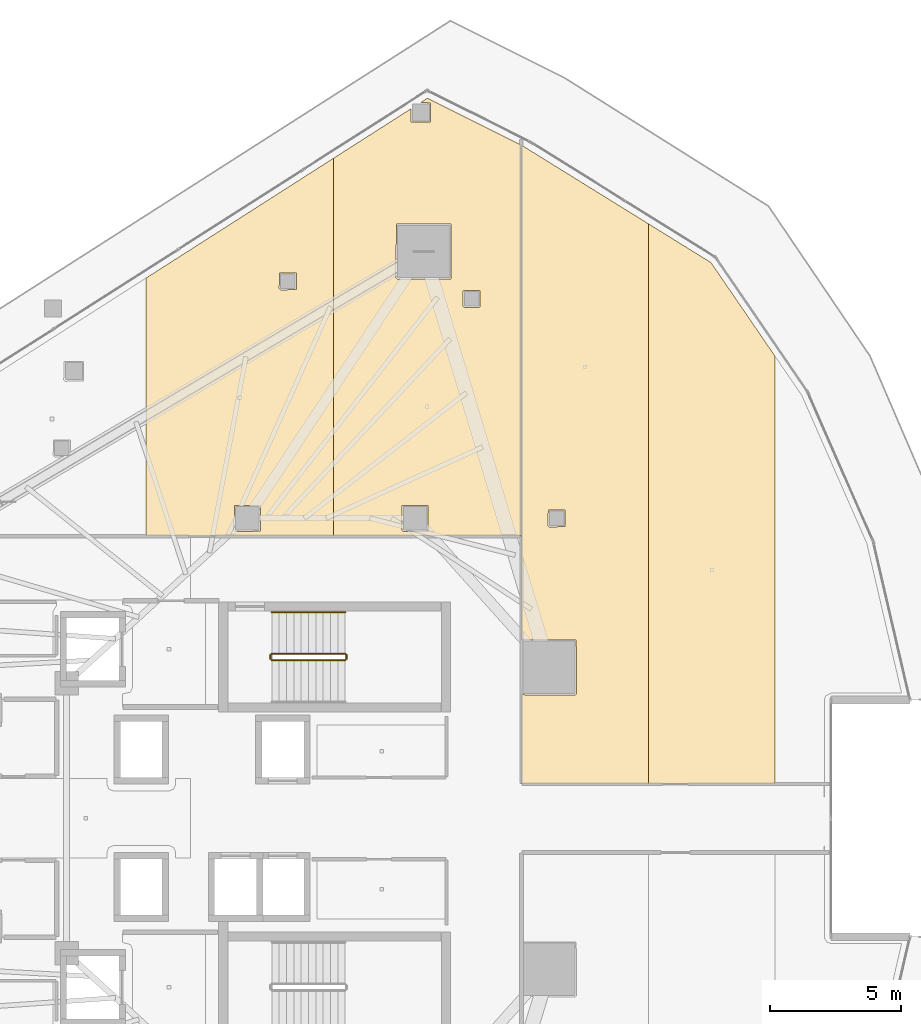
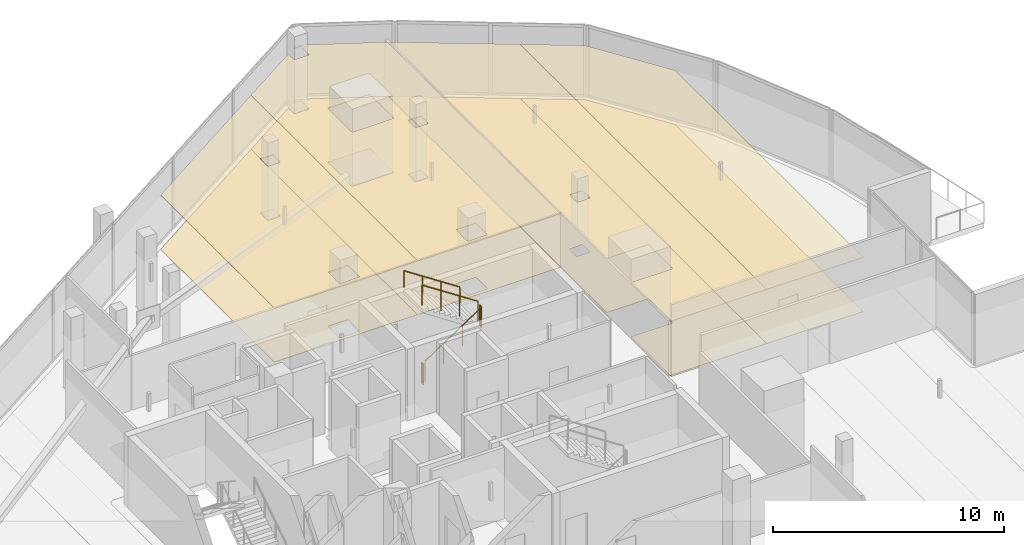
# One storey, part 38 of 39: 8 coverings, 5 railings.
"""IFC4 building model written with IfcOpenShell, lengths in metres."""

from ifc_helpers import new_model, si_unit, direction, frame, origin, origin_2d, place, context, subcontext, project, spatial, polyline, circle, outline, extrude, material, layer, layer_set, type_object, element, save


model = new_model("IFC4")

# Units and contexts
model_context = context("Model", 3, precision=1e-05, world=origin(), true_north=direction((0.0, 1.0)))
body_context = subcontext(model_context, "Body", "Model", "MODEL_VIEW")
ifc_project = project(units=[si_unit("LENGTHUNIT", "METRE"), si_unit("AREAUNIT", "SQUARE_METRE"), si_unit("VOLUMEUNIT", "CUBIC_METRE"), si_unit("PLANEANGLEUNIT", "RADIAN"), si_unit("MASSUNIT", "GRAM", prefix="KILO")], contexts=[model_context])

# Site, building, storey
site_placement = place(None, origin())
site = spatial("IfcSite", under=ifc_project, at=site_placement, CompositionType="ELEMENT")
building_placement = place(site_placement, origin())
building = spatial("IfcBuilding", under=site, at=building_placement, Name="Qorvath Tower", CompositionType="ELEMENT")
storey_placement = place(building_placement, frame((0.0, 0.0, 201.0)))
storey = spatial("IfcBuildingStorey", under=building, at=storey_placement, Name="L46", CompositionType="ELEMENT", Elevation=201.0)

# Coverings
ifc_material_1 = material(Name="Acoustic mineral fibre ceiling tile", Category="gypsum")
ifc_layer_1 = layer(ifc_material_1, 0.030029296875)
ifc_layer_set_1 = layer_set([ifc_layer_1], Name="COV-CEIL")
covering_type_1 = type_object("IfcCoveringType", Name="COV-CEIL", PredefinedType="CEILING", material=ifc_layer_set_1)
covering_1_placement = place(storey_placement, frame((0.0, 0.0, 2.85009765625)))
element("IfcCovering", 1, at=covering_1_placement, inside=storey, type_object=covering_type_1, Name="L46 Suspended Acoustic Ceiling 016", PredefinedType="CEILING", context=body_context, shape_type="SweptSolid", body=[
    extrude(outline(polyline([(-20.315673828125, 10.762939453125), (-20.315673828125, 25.18505859375), (-27.476318359375, 20.6083984375), (-27.476318359375, 10.762939453125), (-20.315673828125, 10.762939453125)]), holes=[polyline([(-22.38818359375, 20.219970703125), (-22.37060546875, 20.812255859375), (-21.73583984375, 20.812255859375), (-21.73583984375, 20.177490234375), (-22.328125, 20.159912109375), (-22.38818359375, 20.219970703125)]), polyline([(-24.110107421875, 11.0), (-24.092529296875, 11.9423828125), (-23.107666015625, 11.9423828125), (-23.107666015625, 10.95751953125), (-24.050048828125, 10.93994140625), (-24.110107421875, 11.0)])]), origin(), (0.0, 0.0, 1.0), 0.030029296875),
])
covering_2_placement = place(storey_placement, frame((0.0, 0.0, 2.85009765625)))
element("IfcCovering", 2, at=covering_2_placement, inside=storey, type_object=covering_type_1, Name="L46 Suspended Acoustic Ceiling 017", PredefinedType="CEILING", context=body_context, shape_type="SweptSolid", body=[
    extrude(outline(polyline([(-13.155029296875, 25.69189453125), (-16.7275390625, 27.478271484375), (-16.984130859375, 27.314208984375), (-16.61376953125, 27.296630859375), (-16.61376953125, 26.561767578125), (-17.3486328125, 26.561767578125), (-17.3662109375, 27.070068359375), (-20.315673828125, 25.18505859375), (-20.315673828125, 10.762939453125), (-13.155029296875, 10.762939453125), (-13.155029296875, 25.69189453125)]), holes=[polyline([(-15.381103515625, 19.543212890625), (-15.363525390625, 20.135498046875), (-14.728759765625, 20.135498046875), (-14.728759765625, 19.500732421875), (-15.321044921875, 19.483154296875), (-15.381103515625, 19.543212890625)]), polyline([(-17.931640625, 20.627197265625), (-17.9140625, 22.66943359375), (-15.829345703125, 22.66943359375), (-15.829345703125, 20.584716796875), (-17.87158203125, 20.567138671875), (-17.931640625, 20.627197265625)]), polyline([(-17.7099609375, 11.0), (-17.6923828125, 11.9423828125), (-16.70751953125, 11.9423828125), (-16.70751953125, 10.95751953125), (-17.64990234375, 10.93994140625), (-17.7099609375, 11.0)])]), origin(), (0.0, 0.0, 1.0), 0.030029296875),
])
covering_3_placement = place(storey_placement, frame((0.0, 0.0, 2.85009765625)))
element("IfcCovering", 3, at=covering_3_placement, inside=storey, type_object=covering_type_1, Name="L46 Suspended Acoustic Ceiling 021", PredefinedType="CEILING", context=body_context, shape_type="SweptSolid", body=[
    extrude(outline(polyline([(-8.3037109375, 1.31298828125), (-8.3037109375, 22.687744140625), (-13.136962890625, 25.68212890625), (-13.136962890625, 6.80126953125), (-11.054443359375, 6.80029296875), (-11.036865234375, 4.7578125), (-11.0966796875, 4.697998046875), (-13.136962890625, 4.714599609375), (-13.136962890625, 1.31298828125), (-8.3037109375, 1.31298828125)]), holes=[polyline([(-12.135009765625, 11.175048828125), (-12.117431640625, 11.767333984375), (-11.482666015625, 11.767333984375), (-11.482666015625, 11.132568359375), (-12.074951171875, 11.114990234375), (-12.135009765625, 11.175048828125)])]), origin(), (0.0, 0.0, 1.0), 0.030029296875),
])
covering_4_placement = place(storey_placement, frame((0.0, 0.0, 2.85009765625)))
element("IfcCovering", 4, at=covering_4_placement, inside=storey, type_object=covering_type_1, Name="L46 Suspended Acoustic Ceiling 022", PredefinedType="CEILING", context=body_context, shape_type="SweptSolid", body=[
    extrude(outline(polyline([(-3.47021484375, 1.31298828125), (-3.47021484375, 17.63623046875), (-5.91162109375, 21.20556640625), (-8.3037109375, 22.687744140625), (-8.3037109375, 1.31298828125), (-3.47021484375, 1.31298828125)])), origin(), (0.0, 0.0, 1.0), 0.030029296875),
])
ifc_material_2 = material(Name="Low-VOC modular carpet tile", Category="textile")
ifc_layer_2 = layer(ifc_material_2, 0.014892578125)
ifc_layer_set_2 = layer_set([ifc_layer_2], Name="COV-FLOOR-CPT")
covering_type_2 = type_object("IfcCoveringType", Name="COV-FLOOR-CPT", PredefinedType="FLOORING", material=ifc_layer_set_2)
covering_5_placement = place(storey_placement, origin())
element("IfcCovering", 5, at=covering_5_placement, inside=storey, type_object=covering_type_2, Name="L46 Floor Finish 016", PredefinedType="FLOORING", context=body_context, shape_type="SweptSolid", body=[
    extrude(outline(polyline([(-20.315673828125, 10.762939453125), (-20.315673828125, 25.18505859375), (-27.476318359375, 20.6083984375), (-27.476318359375, 10.762939453125), (-20.315673828125, 10.762939453125)]), holes=[polyline([(-22.38818359375, 20.219970703125), (-22.37060546875, 20.812255859375), (-21.73583984375, 20.812255859375), (-21.73583984375, 20.177490234375), (-22.328125, 20.159912109375), (-22.38818359375, 20.219970703125)]), polyline([(-24.110107421875, 11.0), (-24.092529296875, 11.9423828125), (-23.107666015625, 11.9423828125), (-23.107666015625, 10.95751953125), (-24.050048828125, 10.93994140625), (-24.110107421875, 11.0)])]), origin(), (0.0, 0.0, 1.0), 0.014892578125),
])
covering_6_placement = place(storey_placement, origin())
element("IfcCovering", 6, at=covering_6_placement, inside=storey, type_object=covering_type_2, Name="L46 Floor Finish 017", PredefinedType="FLOORING", context=body_context, shape_type="SweptSolid", body=[
    extrude(outline(polyline([(-13.155029296875, 25.69189453125), (-16.7275390625, 27.478271484375), (-16.984130859375, 27.314208984375), (-16.61376953125, 27.296630859375), (-16.61376953125, 26.561767578125), (-17.3486328125, 26.561767578125), (-17.3662109375, 27.070068359375), (-20.315673828125, 25.18505859375), (-20.315673828125, 10.762939453125), (-13.155029296875, 10.762939453125), (-13.155029296875, 25.69189453125)]), holes=[polyline([(-15.381103515625, 19.543212890625), (-15.363525390625, 20.135498046875), (-14.728759765625, 20.135498046875), (-14.728759765625, 19.500732421875), (-15.321044921875, 19.483154296875), (-15.381103515625, 19.543212890625)]), polyline([(-17.931640625, 20.627197265625), (-17.9140625, 22.66943359375), (-15.829345703125, 22.66943359375), (-15.829345703125, 20.584716796875), (-17.87158203125, 20.567138671875), (-17.931640625, 20.627197265625)]), polyline([(-17.7099609375, 11.0), (-17.6923828125, 11.9423828125), (-16.70751953125, 11.9423828125), (-16.70751953125, 10.95751953125), (-17.64990234375, 10.93994140625), (-17.7099609375, 11.0)])]), origin(), (0.0, 0.0, 1.0), 0.014892578125),
])
covering_7_placement = place(storey_placement, origin())
element("IfcCovering", 7, at=covering_7_placement, inside=storey, type_object=covering_type_2, Name="L46 Floor Finish 021", PredefinedType="FLOORING", context=body_context, shape_type="SweptSolid", body=[
    extrude(outline(polyline([(-8.3037109375, 1.31298828125), (-8.3037109375, 22.687744140625), (-13.136962890625, 25.68212890625), (-13.136962890625, 6.80126953125), (-11.054443359375, 6.80029296875), (-11.036865234375, 4.7578125), (-11.0966796875, 4.697998046875), (-13.136962890625, 4.714599609375), (-13.136962890625, 1.31298828125), (-8.3037109375, 1.31298828125)]), holes=[polyline([(-12.135009765625, 11.175048828125), (-12.117431640625, 11.767333984375), (-11.482666015625, 11.767333984375), (-11.482666015625, 11.132568359375), (-12.074951171875, 11.114990234375), (-12.135009765625, 11.175048828125)])]), origin(), (0.0, 0.0, 1.0), 0.014892578125),
])
covering_8_placement = place(storey_placement, origin())
element("IfcCovering", 8, at=covering_8_placement, inside=storey, type_object=covering_type_2, Name="L46 Floor Finish 022", PredefinedType="FLOORING", context=body_context, shape_type="SweptSolid", body=[
    extrude(outline(polyline([(-3.47021484375, 1.31298828125), (-3.47021484375, 17.63623046875), (-5.91162109375, 21.20556640625), (-8.3037109375, 22.687744140625), (-8.3037109375, 1.31298828125), (-3.47021484375, 1.31298828125)])), origin(), (0.0, 0.0, 1.0), 0.014892578125),
])

# Railings
ifc_material_3 = material(Name="Painted galvanised steel", Category="steel")
railing_type_1 = type_object("IfcRailingType", Name="RL-STR-GRD", PredefinedType="GUARDRAIL", material=ifc_material_3)
railing_1_placement = place(storey_placement, frame((-22.669921875, 6.030029296875, 0.18408203125)))
element("IfcRailing", 9, at=railing_1_placement, inside=storey, type_object=railing_type_1, Name="L46 TS1 stair guard 1", PredefinedType="GUARDRAIL", context=body_context, shape_type="SweptSolid", body=[
    extrude(circle(Radius=0.02392578125, at=origin_2d()), frame((0.0, 0.0, 1.076171875), z_axis=(0.835575518608, 0.0, 0.549375602573), x_axis=(0.0, 1.0, 0.0)), (0.0, 0.0, 1.0), 3.350830078125),
    extrude(circle(Radius=0.02099609375, at=origin_2d()), origin(), (0.0, 0.0, 1.0), 1.052001953125),
    extrude(circle(Radius=0.02099609375, at=origin_2d()), frame((0.933349609375, 0.0, 0.613525390625)), (0.0, 0.0, 1.0), 1.052001953125),
    extrude(circle(Radius=0.02099609375, at=origin_2d()), frame((1.866455078125, 0.0, 1.227294921875)), (0.0, 0.0, 1.0), 1.052001953125),
    extrude(circle(Radius=0.02099609375, at=origin_2d()), frame((2.7998046875, 0.0, 1.8408203125)), (0.0, 0.0, 1.0), 1.052001953125),
])
railing_2_placement = place(storey_placement, frame((-19.820068359375, 6.080078125, 2.02490234375)))
element("IfcRailing", 10, at=railing_2_placement, inside=storey, type_object=railing_type_1, Name="L46 TS1 stair guard 2", PredefinedType="GUARDRAIL", context=body_context, shape_type="SweptSolid", body=[
    extrude(circle(Radius=0.02392578125, at=origin_2d()), frame((0.0, 0.0, 1.076171875), z_axis=(0.0, 1.0, 0.0), x_axis=(-1.0, 0.0, 0.0)), (0.0, 0.0, 1.0), 0.14990234375),
    extrude(circle(Radius=0.02099609375, at=origin_2d()), origin(), (0.0, 0.0, 1.0), 1.052001953125),
    extrude(circle(Radius=0.02099609375, at=origin_2d()), frame((0.0, 0.14990234375, 0.0)), (0.0, 0.0, 1.0), 1.052001953125),
])
railing_3_placement = place(storey_placement, frame((-19.8701171875, 6.280029296875, 2.208984375)))
element("IfcRailing", 11, at=railing_3_placement, inside=storey, type_object=railing_type_1, Name="L46 TS1 stair guard 3", PredefinedType="GUARDRAIL", context=body_context, shape_type="SweptSolid", body=[
    extrude(circle(Radius=0.02392578125, at=origin_2d()), frame((0.0, 0.0, 1.076171875), z_axis=(-0.835542071712, 0.0, 0.549426470421), x_axis=(0.0, -1.0, 0.0)), (0.0, 0.0, 1.0), 3.350830078125),
    extrude(circle(Radius=0.02099609375, at=origin_2d()), origin(), (0.0, 0.0, 1.0), 1.052001953125),
    extrude(circle(Radius=0.02099609375, at=origin_2d()), frame((-0.933349609375, 0.0, 0.61376953125)), (0.0, 0.0, 1.0), 1.052001953125),
    extrude(circle(Radius=0.02099609375, at=origin_2d()), frame((-1.866455078125, 0.0, 1.227294921875)), (0.0, 0.0, 1.0), 1.052001953125),
    extrude(circle(Radius=0.02099609375, at=origin_2d()), frame((-2.7998046875, 0.0, 1.841064453125)), (0.0, 0.0, 1.0), 1.052001953125),
])
railing_4_placement = place(storey_placement, frame((-22.719970703125, 6.080078125, 0.0)))
element("IfcRailing", 12, at=railing_4_placement, inside=storey, type_object=railing_type_1, Name="L46 TS1 stair guard 4", PredefinedType="GUARDRAIL", context=body_context, shape_type="SweptSolid", body=[
    extrude(circle(Radius=0.02392578125, at=origin_2d()), frame((0.0, 0.0, 1.076171875), z_axis=(0.0, 1.0, 0.0), x_axis=(-1.0, 0.0, 0.0)), (0.0, 0.0, 1.0), 0.14990234375),
    extrude(circle(Radius=0.02099609375, at=origin_2d()), origin(), (0.0, 0.0, 1.0), 1.052001953125),
    extrude(circle(Radius=0.02099609375, at=origin_2d()), frame((0.0, 0.14990234375, 0.0)), (0.0, 0.0, 1.0), 1.052001953125),
])
ifc_material_4 = material(Name="Brushed stainless steel AISI 304", Category="steel")
railing_type_2 = type_object("IfcRailingType", Name="RL-STR-HND", PredefinedType="HANDRAIL", material=ifc_material_4)
railing_5_placement = place(storey_placement, frame((-19.8701171875, 7.860107421875, 2.208984375)))
element("IfcRailing", 13, at=railing_5_placement, inside=storey, type_object=railing_type_2, Name="L46 TS1 stair handrail 2", PredefinedType="HANDRAIL", context=body_context, shape_type="SweptSolid", body=[
    extrude(circle(Radius=0.02392578125, at=origin_2d()), frame((0.0, 0.0, 0.8759765625), z_axis=(-0.835542071712, 0.0, 0.549426470421), x_axis=(0.0, -1.0, 0.0)), (0.0, 0.0, 1.0), 3.350830078125),
    extrude(circle(Radius=0.02099609375, at=origin_2d()), origin(), (0.0, 0.0, 1.0), 0.851806640625),
    extrude(circle(Radius=0.02099609375, at=origin_2d()), frame((-0.933349609375, 0.0, 0.61376953125)), (0.0, 0.0, 1.0), 0.851806640625),
    extrude(circle(Radius=0.02099609375, at=origin_2d()), frame((-1.866455078125, 0.0, 1.227294921875)), (0.0, 0.0, 1.0), 0.851806640625),
    extrude(circle(Radius=0.02099609375, at=origin_2d()), frame((-2.7998046875, 0.0, 1.841064453125)), (0.0, 0.0, 1.0), 0.851806640625),
])

save(model, "model.ifc")
